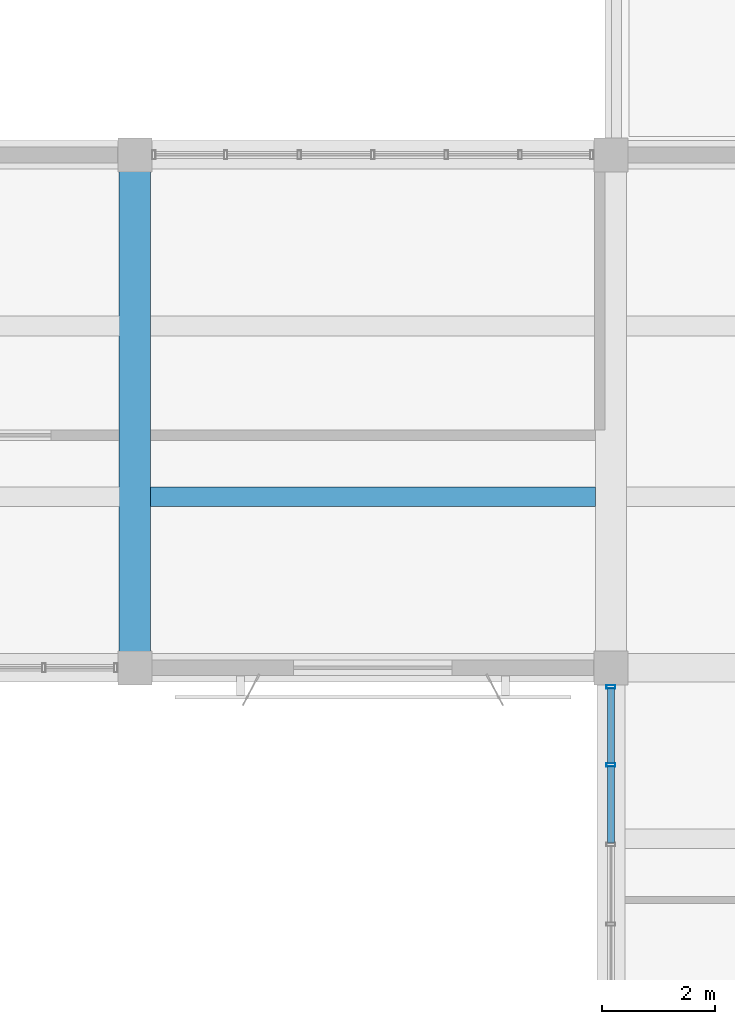
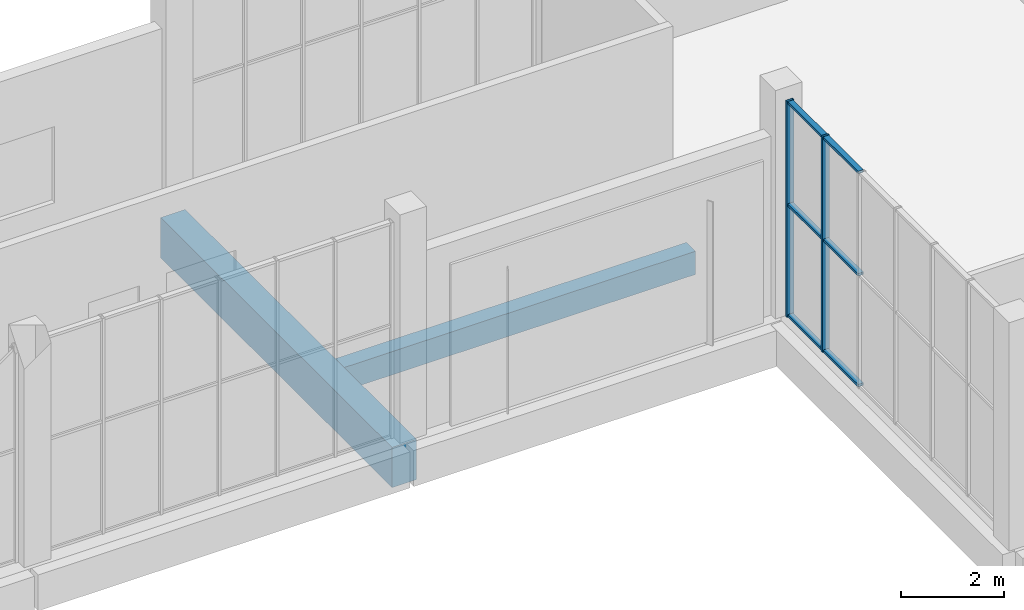
# One storey, part 61 of 132: 8 members, 2 beams, 1 element without a shape of its own.
"""IFC4 building model written with IfcOpenShell, lengths in metres."""

from ifc_helpers import new_model, si_unit, direction, frame, origin, origin_2d, place, context, subcontext, project, spatial, rectangle, hollow_rectangle, extrude, material, material_profile, profile_set, type_object, element, aggregate, save


model = new_model("IFC4")

# Units and contexts
model_context = context("Model", 3, precision=1e-05, world=origin(), true_north=direction((0.0, 1.0)))
body_context = subcontext(model_context, "Body", "Model", "MODEL_VIEW")
ifc_project = project(units=[si_unit("LENGTHUNIT", "METRE"), si_unit("AREAUNIT", "SQUARE_METRE"), si_unit("VOLUMEUNIT", "CUBIC_METRE"), si_unit("PLANEANGLEUNIT", "RADIAN"), si_unit("MASSUNIT", "GRAM", prefix="KILO")], contexts=[model_context])

# Site, building, storey
site_placement = place(None, origin())
site = spatial("IfcSite", under=ifc_project, at=site_placement, CompositionType="ELEMENT")
building_placement = place(site_placement, origin())
building = spatial("IfcBuilding", under=site, at=building_placement, Name="Khurvash Pelagic Aquarium", CompositionType="ELEMENT")
storey_placement = place(building_placement, frame((0.0, 0.0, 5.39990234375)))
storey = spatial("IfcBuildingStorey", under=building, at=storey_placement, Name="L01", CompositionType="ELEMENT", Elevation=5.39990234375)

# Beam
ifc_material_1 = material(Name="Concrete C40/50", Category="concrete")
ifc_material_profile_1 = material_profile(ifc_material_1, rectangle(XDim=0.550048828125, YDim=0.949951171875, at=origin_2d()), Name="RC550X950")
ifc_profile_set_1 = profile_set([ifc_material_profile_1], Name="Concrete C40/50")
beam_type_1 = type_object("IfcBeamType", Name="BM-02", PredefinedType="BEAM", material=ifc_profile_set_1)
beam_1_placement = place(storey_placement, frame((50.39990234375, 93.139892578125, -0.784912109375), z_axis=(0.0, 1.0, 0.0), x_axis=(-1.0, 0.0, 0.0)))
element("IfcBeam", 1, at=beam_1_placement, inside=storey, type_object=beam_type_1, Name="L01 Primary Girder BM-02 00387", PredefinedType="BEAM", context=body_context, shape_type="SweptSolid", body=[
    extrude(rectangle(XDim=0.550048828125, YDim=0.949951171875, at=origin_2d()), origin(), (0.0, 0.0, 1.0), 8.97021484375),
])

# Curtain wall, members
ifc_material_2 = material(Name="Anodised aluminium and low-E laminated glass", Category="aluminium")
curtain_wall_type = type_object("IfcCurtainWallType", Name="CW-06", PredefinedType="USERDEFINED", material=ifc_material_2)
curtain_wall_placement = place(storey_placement, origin())
curtain_wall = element("IfcCurtainWall", 2, at=curtain_wall_placement, inside=storey, type_object=curtain_wall_type, Name="L01 Facade Unitised Curtain Wall CW-06 0136", ObjectType="UNITISED CURTAIN WALL", PredefinedType="USERDEFINED")
ifc_material_3 = material(Name="Extruded aluminium AW-6063-T6", Category="aluminium")
ifc_material_profile_2 = material_profile(ifc_material_3, hollow_rectangle(XDim=0.06005859375, YDim=0.159912109375, WallThickness=0.00390625, at=origin_2d()), Name="CWM60X160X4")
ifc_profile_set_2 = profile_set([ifc_material_profile_2], Name="Extruded aluminium AW-6063-T6")
member_type_1 = type_object("IfcMemberType", Name="CM-02", PredefinedType="MULLION", material=ifc_profile_set_2)
member_1_placement = place(storey_placement, frame((58.800048828125, 92.764892578125, 0.0), z_axis=(0.0, 0.0, 1.0), x_axis=(0.0, -1.0, 0.0)))
member_1 = element("IfcMember", 3, at=member_1_placement, type_object=member_type_1, Name="CW-06 mullion 1", PredefinedType="MULLION", context=body_context, shape_type="SweptSolid", body=[
    extrude(hollow_rectangle(XDim=0.06005859375, YDim=0.159912109375, WallThickness=0.00390625, at=origin_2d()), origin(), (0.0, 0.0, 1.0), 5.10009765625),
])
member_2_placement = place(storey_placement, frame((58.800048828125, 91.388427734375, 0.0), z_axis=(0.0, 0.0, 1.0), x_axis=(0.0, -1.0, 0.0)))
member_2 = element("IfcMember", 4, at=member_2_placement, type_object=member_type_1, Name="CW-06 mullion 2", PredefinedType="MULLION", context=body_context, shape_type="SweptSolid", body=[
    extrude(hollow_rectangle(XDim=0.06005859375, YDim=0.159912109375, WallThickness=0.00390625, at=origin_2d()), origin(), (0.0, 0.0, 1.0), 5.10009765625),
])
ifc_material_profile_3 = material_profile(ifc_material_3, hollow_rectangle(XDim=0.1201171875, YDim=0.06005859375, WallThickness=0.00390625, at=origin_2d()), Name="CWT120X60X4")
ifc_profile_set_3 = profile_set([ifc_material_profile_3], Name="Extruded aluminium AW-6063-T6")
member_type_2 = type_object("IfcMemberType", Name="CT-02", PredefinedType="USERDEFINED", material=ifc_profile_set_3)
member_3_placement = place(storey_placement, frame((58.800048828125, 92.735107421875, 0.030029296875), z_axis=(0.0, -1.0, 0.0), x_axis=(1.0, 0.0, 0.0)))
member_3 = element("IfcMember", 5, at=member_3_placement, type_object=member_type_2, Name="CW-06 transom 1.1", ObjectType="TRANSOM", PredefinedType="USERDEFINED", context=body_context, shape_type="SweptSolid", body=[
    extrude(hollow_rectangle(XDim=0.1201171875, YDim=0.06005859375, WallThickness=0.00390625, at=origin_2d()), origin(), (0.0, 0.0, 1.0), 1.31689453125),
])
member_4_placement = place(storey_placement, frame((58.800048828125, 92.735107421875, 2.652099609375), z_axis=(0.0, -1.0, 0.0), x_axis=(1.0, 0.0, 0.0)))
member_4 = element("IfcMember", 6, at=member_4_placement, type_object=member_type_2, Name="CW-06 transom 1.2", ObjectType="TRANSOM", PredefinedType="USERDEFINED", context=body_context, shape_type="SweptSolid", body=[
    extrude(hollow_rectangle(XDim=0.1201171875, YDim=0.06005859375, WallThickness=0.00390625, at=origin_2d()), origin(), (0.0, 0.0, 1.0), 1.31689453125),
])
member_5_placement = place(storey_placement, frame((58.800048828125, 92.735107421875, 5.070068359375), z_axis=(0.0, -1.0, 0.0), x_axis=(1.0, 0.0, 0.0)))
member_5 = element("IfcMember", 7, at=member_5_placement, type_object=member_type_2, Name="CW-06 transom 1.3", ObjectType="TRANSOM", PredefinedType="USERDEFINED", context=body_context, shape_type="SweptSolid", body=[
    extrude(hollow_rectangle(XDim=0.1201171875, YDim=0.06005859375, WallThickness=0.00390625, at=origin_2d()), origin(), (0.0, 0.0, 1.0), 1.31689453125),
])
member_6_placement = place(storey_placement, frame((58.800048828125, 91.3583984375, 0.030029296875), z_axis=(0.0, -1.0, 0.0), x_axis=(1.0, 0.0, 0.0)))
member_6 = element("IfcMember", 8, at=member_6_placement, type_object=member_type_2, Name="CW-06 transom 2.1", ObjectType="TRANSOM", PredefinedType="USERDEFINED", context=body_context, shape_type="SweptSolid", body=[
    extrude(hollow_rectangle(XDim=0.1201171875, YDim=0.06005859375, WallThickness=0.00390625, at=origin_2d()), origin(), (0.0, 0.0, 1.0), 1.3466796875),
])
member_7_placement = place(storey_placement, frame((58.800048828125, 91.3583984375, 2.652099609375), z_axis=(0.0, -1.0, 0.0), x_axis=(1.0, 0.0, 0.0)))
member_7 = element("IfcMember", 9, at=member_7_placement, type_object=member_type_2, Name="CW-06 transom 2.2", ObjectType="TRANSOM", PredefinedType="USERDEFINED", context=body_context, shape_type="SweptSolid", body=[
    extrude(hollow_rectangle(XDim=0.1201171875, YDim=0.06005859375, WallThickness=0.00390625, at=origin_2d()), origin(), (0.0, 0.0, 1.0), 1.3466796875),
])
member_8_placement = place(storey_placement, frame((58.800048828125, 91.3583984375, 5.070068359375), z_axis=(0.0, -1.0, 0.0), x_axis=(1.0, 0.0, 0.0)))
member_8 = element("IfcMember", 10, at=member_8_placement, type_object=member_type_2, Name="CW-06 transom 2.3", ObjectType="TRANSOM", PredefinedType="USERDEFINED", context=body_context, shape_type="SweptSolid", body=[
    extrude(hollow_rectangle(XDim=0.1201171875, YDim=0.06005859375, WallThickness=0.00390625, at=origin_2d()), origin(), (0.0, 0.0, 1.0), 1.3466796875),
])
aggregate(curtain_wall, [member_1, member_2, member_3, member_4, member_5, member_6, member_7, member_8])

# Beam
ifc_material_4 = material(Name="Concrete C35/45", Category="concrete")
ifc_material_profile_4 = material_profile(ifc_material_4, rectangle(XDim=0.35009765625, YDim=0.550048828125, at=origin_2d()), Name="RC350X550")
ifc_profile_set_4 = profile_set([ifc_material_profile_4], Name="Concrete C35/45")
beam_type_2 = type_object("IfcBeamType", Name="JS-01", PredefinedType="JOIST", material=ifc_profile_set_4)
beam_2_placement = place(storey_placement, frame((50.675048828125, 96.116943359375, -0.5849609375), z_axis=(1.0, 0.0, 0.0), x_axis=(0.0, 1.0, 0.0)))
element("IfcBeam", 11, at=beam_2_placement, inside=storey, type_object=beam_type_2, Name="L01 Floor Joist JS-01 00498", PredefinedType="JOIST", context=body_context, shape_type="SweptSolid", body=[
    extrude(rectangle(XDim=0.35009765625, YDim=0.550048828125, at=origin_2d()), origin(), (0.0, 0.0, 1.0), 7.849853515625),
])

save(model, "model.ifc")
